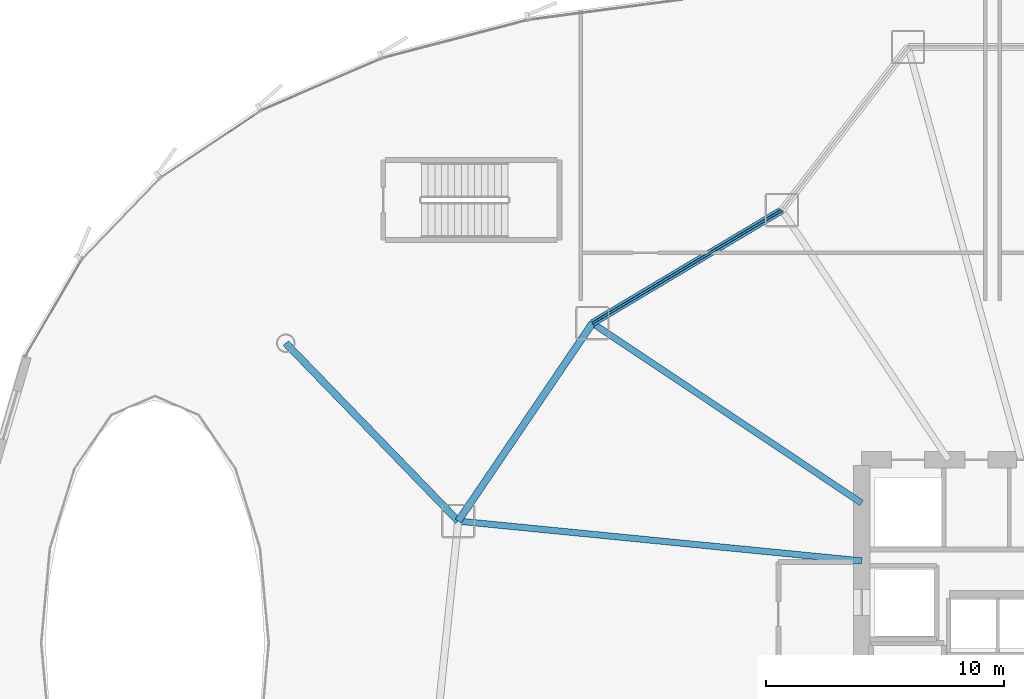
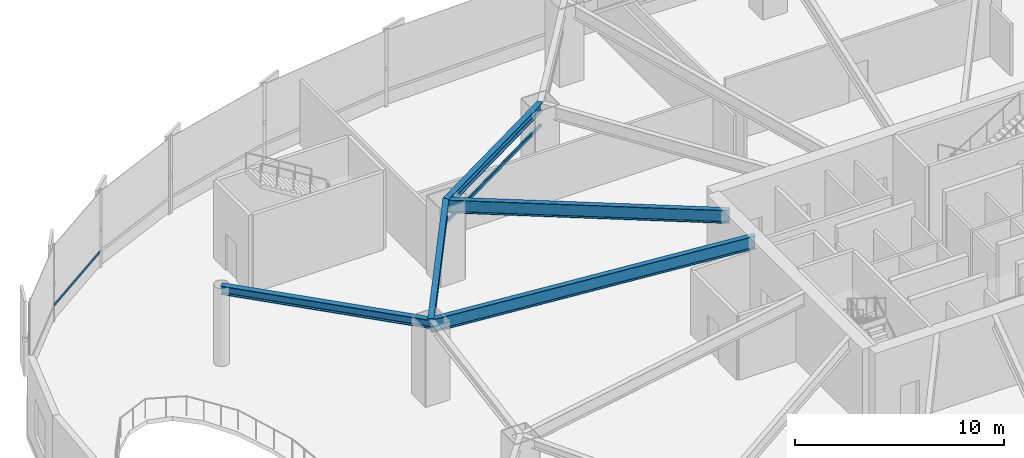
# One storey, part 11 of 34: 6 beams, 1 member, 1 element without a shape of its own.
"""IFC4 building model written with IfcOpenShell, lengths in metres."""

from ifc_helpers import new_model, si_unit, direction, frame, origin, origin_2d, place, context, subcontext, project, spatial, hollow_rectangle, i_section, extrude, source, transform, mapped, material, layer, layer_set, material_profile, profile_set, type_object, element, aggregate, save


model = new_model("IFC4")

# Units and contexts
model_context = context("Model", 3, precision=1e-05, world=origin(), true_north=direction((0.0, 1.0)))
body_context = subcontext(model_context, "Body", "Model", "MODEL_VIEW")
ifc_project = project(units=[si_unit("LENGTHUNIT", "METRE"), si_unit("AREAUNIT", "SQUARE_METRE"), si_unit("VOLUMEUNIT", "CUBIC_METRE"), si_unit("PLANEANGLEUNIT", "RADIAN"), si_unit("MASSUNIT", "GRAM", prefix="KILO"), si_unit("THERMODYNAMICTEMPERATUREUNIT", "KELVIN")], contexts=[model_context])

# Site, building, storey
site_placement = place(None, origin())
site = spatial("IfcSite", under=ifc_project, at=site_placement, CompositionType="ELEMENT")
building_placement = place(site_placement, origin())
building = spatial("IfcBuilding", under=site, at=building_placement, Name="Kethvar Cultural Tower", CompositionType="ELEMENT")
storey_placement = place(building_placement, frame((0.0, 0.0, 5.199951171875)))
storey = spatial("IfcBuildingStorey", under=building, at=storey_placement, Name="L01", CompositionType="ELEMENT", Elevation=5.199951171875)

# Beams
ifc_material_1 = material(Name="Steel S355J2", Category="steel")
ifc_material_profile_1 = material_profile(ifc_material_1, i_section(OverallWidth=0.300048828125, OverallDepth=0.5, WebThickness=0.014404296875, FlangeThickness=0.028076171875, FilletRadius=0.027099609375, at=origin_2d()), Name="Steel S355J2 — HEB500")
ifc_profile_set_1 = profile_set([ifc_material_profile_1], Name="Steel S355J2 — HEB500")
beam_type_1 = type_object("IfcBeamType", Name="BM-SP500", PredefinedType="SPANDREL", material=ifc_profile_set_1)
shared_shape_1 = source(origin(), body_context, "Body", "SweptSolid", [
    extrude(i_section(OverallWidth=0.300048828125, OverallDepth=0.5, WebThickness=0.014404296875, FlangeThickness=0.028076171875, FilletRadius=0.027099609375, at=origin_2d()), origin(), (0.0, 0.0, 1.0), 9.270263671875),
])
beam_1_placement = place(storey_placement, frame((34.64599609375, 45.98974609375, 4.298095703125), z_axis=(-0.858814626354, -0.51228647997, 0.0), x_axis=(0.51228647997, -0.858814626354, 0.0)))
element("IfcBeam", 1, at=beam_1_placement, inside=storey, type_object=beam_type_1, Name="L01 Podium Ring Beam 06", PredefinedType="SPANDREL", context=body_context, shape_type="MappedRepresentation", body=[
    mapped(shared_shape_1, transform((0.0, 0.0, 0.0), scale=1.0)),
])
shared_shape_2 = source(origin(), body_context, "Body", "SweptSolid", [
    extrude(i_section(OverallWidth=0.300048828125, OverallDepth=0.5, WebThickness=0.014404296875, FlangeThickness=0.028076171875, FilletRadius=0.027099609375, at=origin_2d()), origin(), (0.0, 0.0, 1.0), 10.048583984375),
])
beam_2_placement = place(storey_placement, frame((26.6845703125, 41.24072265625, 4.298095703125), z_axis=(-0.561025415443, -0.827798576483, 0.0), x_axis=(0.827798576483, -0.561025415443, 0.0)))
element("IfcBeam", 2, at=beam_2_placement, inside=storey, type_object=beam_type_1, Name="L01 Podium Ring Beam 07", PredefinedType="SPANDREL", context=body_context, shape_type="MappedRepresentation", body=[
    mapped(shared_shape_2, transform((0.0, 0.0, 0.0), scale=1.0)),
])
shared_shape_3 = source(origin(), body_context, "Body", "SweptSolid", [
    extrude(i_section(OverallWidth=0.300048828125, OverallDepth=0.5, WebThickness=0.014404296875, FlangeThickness=0.028076171875, FilletRadius=0.027099609375, at=origin_2d()), origin(), (0.0, 0.0, 1.0), 10.4130859375),
])
beam_3_placement = place(storey_placement, frame((13.800048828125, 40.39990234375, 4.298095703125), z_axis=(0.695965659729, -0.718075066047, 0.0), x_axis=(0.718075066047, 0.695965659729, 0.0)))
element("IfcBeam", 3, at=beam_3_placement, inside=storey, type_object=beam_type_1, Name="L01 West Atrium Wing Beam 02", PredefinedType="SPANDREL", context=body_context, shape_type="MappedRepresentation", body=[
    mapped(shared_shape_3, transform((0.0, 0.0, 0.0), scale=1.0)),
])
ifc_material_profile_2 = material_profile(ifc_material_1, i_section(OverallWidth=0.26708984375, OverallDepth=0.761962890625, WebThickness=0.014404296875, FlangeThickness=0.021484375, FilletRadius=0.01708984375, at=origin_2d()), Name="Steel S355J2 — IPE750x173")
ifc_profile_set_2 = profile_set([ifc_material_profile_2], Name="Steel S355J2 — IPE750x173")
beam_type_2 = type_object("IfcBeamType", Name="BM-IPE750", PredefinedType="BEAM", material=ifc_profile_set_2)
shared_shape_4 = source(origin(), body_context, "Body", "SweptSolid", [
    extrude(i_section(OverallWidth=0.26708984375, OverallDepth=0.761962890625, WebThickness=0.014404296875, FlangeThickness=0.021484375, FilletRadius=0.01708984375, at=origin_2d()), origin(), (0.0, 0.0, 1.0), 13.60888671875),
])
beam_4_placement = place(storey_placement, frame((38.0, 33.679931640625, 4.1669921875), z_axis=(-0.831467486755, 0.555573414113, 0.0), x_axis=(-0.555573414113, -0.831467486755, 0.0)))
element("IfcBeam", 4, at=beam_4_placement, inside=storey, type_object=beam_type_2, Name="L01 Podium Radial Girder 07", PredefinedType="BEAM", context=body_context, shape_type="MappedRepresentation", body=[
    mapped(shared_shape_4, transform((0.0, 0.0, 0.0), scale=1.0)),
])
shared_shape_5 = source(origin(), body_context, "Body", "SweptSolid", [
    extrude(i_section(OverallWidth=0.26708984375, OverallDepth=0.761962890625, WebThickness=0.014404296875, FlangeThickness=0.021484375, FilletRadius=0.01708984375, at=origin_2d()), origin(), (0.0, 0.0, 1.0), 17.03515625),
])
beam_5_placement = place(storey_placement, frame((38.0, 31.25, 4.1669921875), z_axis=(-0.995168138859, 0.098185413375, 0.0), x_axis=(-0.098185413375, -0.995168138859, 0.0)))
element("IfcBeam", 5, at=beam_5_placement, inside=storey, type_object=beam_type_2, Name="L01 Podium Radial Girder 08", PredefinedType="BEAM", context=body_context, shape_type="MappedRepresentation", body=[
    mapped(shared_shape_5, transform((0.0, 0.0, 0.0), scale=1.0)),
])
ifc_material_profile_3 = material_profile(ifc_material_1, hollow_rectangle(XDim=0.10009765625, YDim=0.199951171875, WallThickness=0.008056640625, InnerFilletRadius=0.008056640625, OuterFilletRadius=0.01611328125, at=origin_2d()), Name="Steel S355J2 — RHS200x100x8")
ifc_profile_set_3 = profile_set([ifc_material_profile_3], Name="Steel S355J2 — RHS200x100x8")
beam_type_3 = type_object("IfcBeamType", Name="BM-LN200", PredefinedType="LINTEL", material=ifc_profile_set_3)
shared_shape_6 = source(origin(), body_context, "Body", "SweptSolid", [
    extrude(hollow_rectangle(XDim=0.10009765625, YDim=0.199951171875, WallThickness=0.008056640625, InnerFilletRadius=0.008056640625, OuterFilletRadius=0.01611328125, at=origin_2d()), origin(), (0.0, 0.0, 1.0), 9.270263671875),
])
beam_6_placement = place(storey_placement, frame((34.64599609375, 45.98974609375, 3.150146484375), z_axis=(-0.858814626354, -0.51228647997, 0.0), x_axis=(0.51228647997, -0.858814626354, 0.0)))
element("IfcBeam", 6, at=beam_6_placement, inside=storey, type_object=beam_type_3, Name="L01 Header Lintel LN-12", PredefinedType="LINTEL", context=body_context, shape_type="MappedRepresentation", body=[
    mapped(shared_shape_6, transform((0.0, 0.0, 0.0), scale=1.0)),
])

# Curtain wall, member
ifc_material_2 = material(Name="Aluminium 6063-T6", Category="aluminium")
ifc_layer = layer(ifc_material_2, 0.179931640625, Name="Aluminium 6063-T6", Category="aluminium")
ifc_layer_set = layer_set([ifc_layer], Name="Aluminium 6063-T6 (180 mm)")
curtain_wall_type = type_object("IfcCurtainWallType", Name="CW-SYS-01-POD", PredefinedType="NOTDEFINED", material=ifc_layer_set)
curtain_wall_placement = place(storey_placement, origin())
curtain_wall = element("IfcCurtainWall", 7, at=curtain_wall_placement, inside=storey, type_object=curtain_wall_type, Name="L01 Curtain Wall Run 03", PredefinedType="NOTDEFINED")
ifc_material_profile_4 = material_profile(ifc_material_2, hollow_rectangle(XDim=0.06005859375, YDim=0.139892578125, WallThickness=0.0048828125, at=origin_2d()), Name="Aluminium 6063-T6 — RHS140x60x5")
ifc_profile_set_4 = profile_set([ifc_material_profile_4], Name="Aluminium 6063-T6 — RHS140x60x5")
member_type = type_object("IfcMemberType", Name="CW-SYS-01-POD-TRN", PredefinedType="USERDEFINED", material=ifc_profile_set_4)
shared_shape_7 = source(origin(), body_context, "Body", "SweptSolid", [
    extrude(hollow_rectangle(XDim=0.06005859375, YDim=0.139892578125, WallThickness=0.0048828125, at=origin_2d()), origin(), (0.0, 0.0, 1.0), 4.991455078125),
])
member_placement = place(storey_placement, frame((12.701171875, 50.14599609375, 0.949951171875), z_axis=(-0.830806616573, -0.556561196867, 0.0), x_axis=(0.556561196867, -0.830806616573, 0.0)))
member = element("IfcMember", 8, at=member_placement, type_object=member_type, Name="CW-L01-R03 Transom 2", ObjectType="TRANSOM", PredefinedType="USERDEFINED", context=body_context, shape_type="MappedRepresentation", body=[
    mapped(shared_shape_7, transform((0.0, 0.0, 0.0), scale=1.0)),
])
aggregate(curtain_wall, [member])

save(model, "model.ifc")
